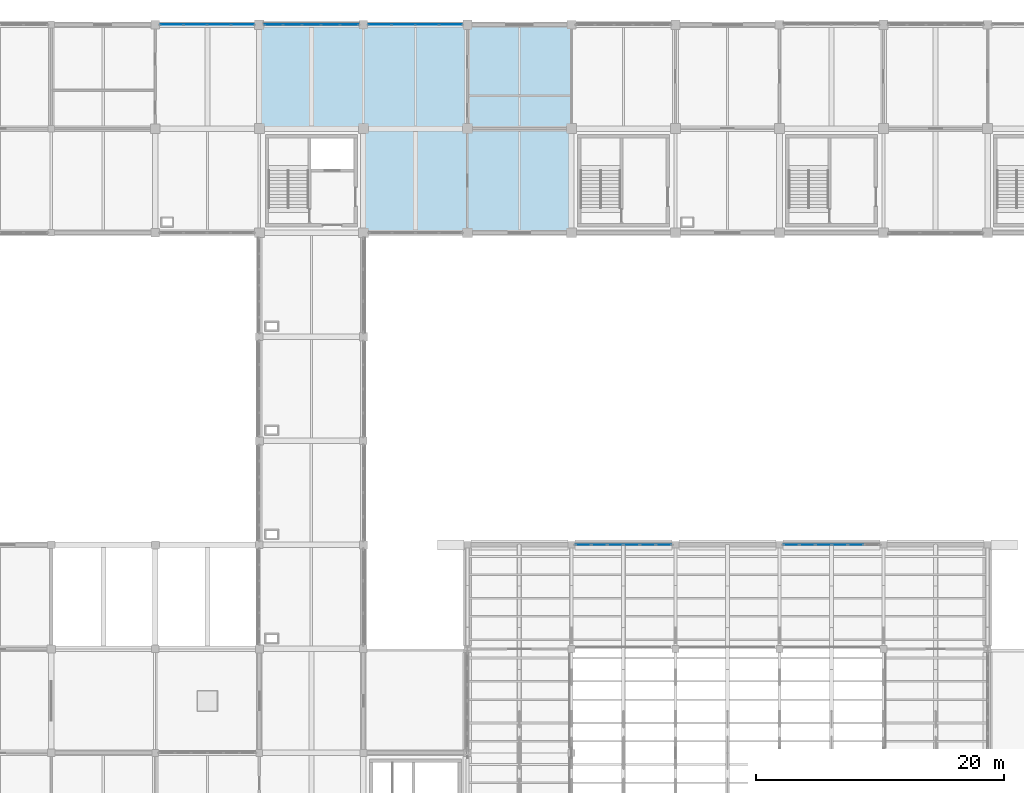
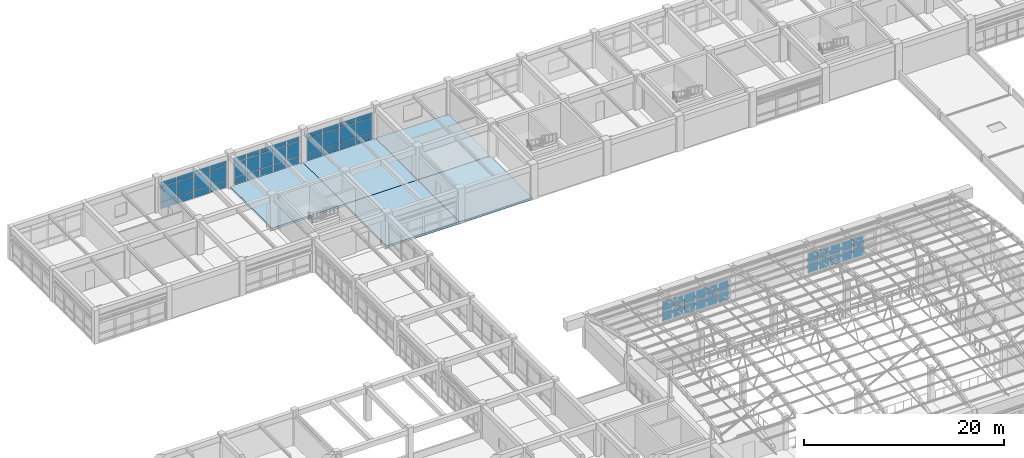
# One storey, part 54 of 74: 61 plates, 5 slabs, 5 elements without a shape of their own.
"""IFC4 building model written with IfcOpenShell, lengths in metres."""

from ifc_helpers import new_model, si_unit, direction, frame, origin, origin_2d, place, context, subcontext, project, spatial, polyline, rectangle, outline, extrude, material, layer, layer_set, type_object, element, aggregate, save


model = new_model("IFC4")

# Units and contexts
model_context = context("Model", 3, precision=1e-05, world=origin(), true_north=direction((0.0, 1.0)))
body_context = subcontext(model_context, "Body", "Model", "MODEL_VIEW")
ifc_project = project(units=[si_unit("LENGTHUNIT", "METRE"), si_unit("AREAUNIT", "SQUARE_METRE"), si_unit("VOLUMEUNIT", "CUBIC_METRE"), si_unit("PLANEANGLEUNIT", "RADIAN"), si_unit("MASSUNIT", "GRAM", prefix="KILO")], contexts=[model_context])

# Site, building, storey
site_placement = place(None, origin())
site = spatial("IfcSite", under=ifc_project, at=site_placement, CompositionType="ELEMENT")
building_placement = place(site_placement, origin())
building = spatial("IfcBuilding", under=site, at=building_placement, Name="Porcellanite Civic Hall", CompositionType="ELEMENT")
storey_placement = place(building_placement, frame((0.0, 0.0, 14.760009765625)))
storey = spatial("IfcBuildingStorey", under=building, at=storey_placement, Name="L03", CompositionType="ELEMENT", Elevation=14.760009765625)

# Curtain wall, plates
ifc_material_1 = material(Name="Anodised aluminium and solar laminated glass", Category="aluminium")
ifc_layer_1 = layer(ifc_material_1, 0.179931640625)
ifc_layer_set_1 = layer_set([ifc_layer_1], Name="Anodised aluminium and solar laminated glass")
curtain_wall_type_1 = type_object("IfcCurtainWallType", Name="CW-SYS01", PredefinedType="NOTDEFINED", material=ifc_layer_set_1)
curtain_wall_1_placement = place(storey_placement, origin())
curtain_wall_1 = element("IfcCurtainWall", 1, at=curtain_wall_1_placement, inside=storey, type_object=curtain_wall_type_1, Name="Curtain wall CW-208", PredefinedType="NOTDEFINED")
ifc_material_2 = material(Name="Cyclone laminated solar-control low-E glass", Category="glass")
ifc_layer_2 = layer(ifc_material_2, 0.02392578125)
ifc_layer_set_2 = layer_set([ifc_layer_2], Name="Cyclone laminated solar-control low-E glass")
plate_type_1 = type_object("IfcPlateType", Name="CWP-01", PredefinedType="CURTAIN_PANEL", material=ifc_layer_set_2)
plate_1_placement = place(storey_placement, frame((76.550048828125, 75.60009765625, 0.06982421875), z_axis=(0.0, 0.0, 1.0), x_axis=(1.0, 0.0, 0.0)))
plate_1 = element("IfcPlate", 2, at=plate_1_placement, type_object=plate_type_1, Name="CW-208 panel 1.1", PredefinedType="CURTAIN_PANEL", context=body_context, shape_type="SweptSolid", body=[
    extrude(rectangle(XDim=1.18798828125, YDim=0.02392578125, at=origin_2d()), origin(), (0.0, 0.0, 1.0), 1.155029296875),
])
plate_2_placement = place(storey_placement, frame((76.550048828125, 75.60009765625, 1.294921875), z_axis=(0.0, 0.0, 1.0), x_axis=(1.0, 0.0, 0.0)))
plate_2 = element("IfcPlate", 3, at=plate_2_placement, type_object=plate_type_1, Name="CW-208 panel 1.2", PredefinedType="CURTAIN_PANEL", context=body_context, shape_type="SweptSolid", body=[
    extrude(rectangle(XDim=1.18798828125, YDim=0.02392578125, at=origin_2d()), origin(), (0.0, 0.0, 1.0), 1.155029296875),
])
plate_3_placement = place(storey_placement, frame((77.837890625, 75.60009765625, 0.06982421875), z_axis=(0.0, 0.0, 1.0), x_axis=(1.0, 0.0, 0.0)))
plate_3 = element("IfcPlate", 4, at=plate_3_placement, type_object=plate_type_1, Name="CW-208 panel 2.1", PredefinedType="CURTAIN_PANEL", context=body_context, shape_type="SweptSolid", body=[
    extrude(rectangle(XDim=1.22802734375, YDim=0.02392578125, at=origin_2d()), origin(), (0.0, 0.0, 1.0), 1.155029296875),
])
plate_4_placement = place(storey_placement, frame((77.837890625, 75.60009765625, 1.294921875), z_axis=(0.0, 0.0, 1.0), x_axis=(1.0, 0.0, 0.0)))
plate_4 = element("IfcPlate", 5, at=plate_4_placement, type_object=plate_type_1, Name="CW-208 panel 2.2", PredefinedType="CURTAIN_PANEL", context=body_context, shape_type="SweptSolid", body=[
    extrude(rectangle(XDim=1.22802734375, YDim=0.02392578125, at=origin_2d()), origin(), (0.0, 0.0, 1.0), 1.155029296875),
])
plate_5_placement = place(storey_placement, frame((79.14599609375, 75.60009765625, 0.06982421875), z_axis=(0.0, 0.0, 1.0), x_axis=(1.0, 0.0, 0.0)))
plate_5 = element("IfcPlate", 6, at=plate_5_placement, type_object=plate_type_1, Name="CW-208 panel 3.1", PredefinedType="CURTAIN_PANEL", context=body_context, shape_type="SweptSolid", body=[
    extrude(rectangle(XDim=1.22802734375, YDim=0.02392578125, at=origin_2d()), origin(), (0.0, 0.0, 1.0), 1.155029296875),
])
plate_6_placement = place(storey_placement, frame((79.14599609375, 75.60009765625, 1.294921875), z_axis=(0.0, 0.0, 1.0), x_axis=(1.0, 0.0, 0.0)))
plate_6 = element("IfcPlate", 7, at=plate_6_placement, type_object=plate_type_1, Name="CW-208 panel 3.2", PredefinedType="CURTAIN_PANEL", context=body_context, shape_type="SweptSolid", body=[
    extrude(rectangle(XDim=1.22802734375, YDim=0.02392578125, at=origin_2d()), origin(), (0.0, 0.0, 1.0), 1.155029296875),
])
plate_7_placement = place(storey_placement, frame((80.4541015625, 75.60009765625, 0.06982421875), z_axis=(0.0, 0.0, 1.0), x_axis=(1.0, 0.0, 0.0)))
plate_7 = element("IfcPlate", 8, at=plate_7_placement, type_object=plate_type_1, Name="CW-208 panel 4.1", PredefinedType="CURTAIN_PANEL", context=body_context, shape_type="SweptSolid", body=[
    extrude(rectangle(XDim=1.22802734375, YDim=0.02392578125, at=origin_2d()), origin(), (0.0, 0.0, 1.0), 1.155029296875),
])
plate_8_placement = place(storey_placement, frame((80.4541015625, 75.60009765625, 1.294921875), z_axis=(0.0, 0.0, 1.0), x_axis=(1.0, 0.0, 0.0)))
plate_8 = element("IfcPlate", 9, at=plate_8_placement, type_object=plate_type_1, Name="CW-208 panel 4.2", PredefinedType="CURTAIN_PANEL", context=body_context, shape_type="SweptSolid", body=[
    extrude(rectangle(XDim=1.22802734375, YDim=0.02392578125, at=origin_2d()), origin(), (0.0, 0.0, 1.0), 1.155029296875),
])
plate_9_placement = place(storey_placement, frame((81.761962890625, 75.60009765625, 0.06982421875), z_axis=(0.0, 0.0, 1.0), x_axis=(1.0, 0.0, 0.0)))
plate_9 = element("IfcPlate", 10, at=plate_9_placement, type_object=plate_type_1, Name="CW-208 panel 5.1", PredefinedType="CURTAIN_PANEL", context=body_context, shape_type="SweptSolid", body=[
    extrude(rectangle(XDim=1.22802734375, YDim=0.02392578125, at=origin_2d()), origin(), (0.0, 0.0, 1.0), 1.155029296875),
])
plate_10_placement = place(storey_placement, frame((81.761962890625, 75.60009765625, 1.294921875), z_axis=(0.0, 0.0, 1.0), x_axis=(1.0, 0.0, 0.0)))
plate_10 = element("IfcPlate", 11, at=plate_10_placement, type_object=plate_type_1, Name="CW-208 panel 5.2", PredefinedType="CURTAIN_PANEL", context=body_context, shape_type="SweptSolid", body=[
    extrude(rectangle(XDim=1.22802734375, YDim=0.02392578125, at=origin_2d()), origin(), (0.0, 0.0, 1.0), 1.155029296875),
])
plate_11_placement = place(storey_placement, frame((83.050048828125, 75.60009765625, 0.06982421875), z_axis=(0.0, 0.0, 1.0), x_axis=(1.0, 0.0, 0.0)))
plate_11 = element("IfcPlate", 12, at=plate_11_placement, type_object=plate_type_1, Name="CW-208 panel 6.1", PredefinedType="CURTAIN_PANEL", context=body_context, shape_type="SweptSolid", body=[
    extrude(rectangle(XDim=1.18798828125, YDim=0.02392578125, at=origin_2d()), origin(), (0.0, 0.0, 1.0), 1.155029296875),
])
plate_12_placement = place(storey_placement, frame((83.050048828125, 75.60009765625, 1.294921875), z_axis=(0.0, 0.0, 1.0), x_axis=(1.0, 0.0, 0.0)))
plate_12 = element("IfcPlate", 13, at=plate_12_placement, type_object=plate_type_1, Name="CW-208 panel 6.2", PredefinedType="CURTAIN_PANEL", context=body_context, shape_type="SweptSolid", body=[
    extrude(rectangle(XDim=1.18798828125, YDim=0.02392578125, at=origin_2d()), origin(), (0.0, 0.0, 1.0), 1.155029296875),
])
aggregate(curtain_wall_1, [plate_1, plate_2, plate_3, plate_4, plate_5, plate_6, plate_7, plate_8, plate_9, plate_10, plate_11, plate_12])

curtain_wall_2_placement = place(storey_placement, origin())
curtain_wall_2 = element("IfcCurtainWall", 14, at=curtain_wall_2_placement, inside=storey, type_object=curtain_wall_type_1, Name="Curtain wall CW-211", PredefinedType="NOTDEFINED")
plate_13_placement = place(storey_placement, frame((93.35009765625, 75.60009765625, 0.06982421875), z_axis=(0.0, 0.0, 1.0), x_axis=(1.0, 0.0, 0.0)))
plate_13 = element("IfcPlate", 15, at=plate_13_placement, type_object=plate_type_1, Name="CW-211 panel 1.1", PredefinedType="CURTAIN_PANEL", context=body_context, shape_type="SweptSolid", body=[
    extrude(rectangle(XDim=1.18798828125, YDim=0.02392578125, at=origin_2d()), origin(), (0.0, 0.0, 1.0), 1.155029296875),
])
plate_14_placement = place(storey_placement, frame((93.35009765625, 75.60009765625, 1.294921875), z_axis=(0.0, 0.0, 1.0), x_axis=(1.0, 0.0, 0.0)))
plate_14 = element("IfcPlate", 16, at=plate_14_placement, type_object=plate_type_1, Name="CW-211 panel 1.2", PredefinedType="CURTAIN_PANEL", context=body_context, shape_type="SweptSolid", body=[
    extrude(rectangle(XDim=1.18798828125, YDim=0.02392578125, at=origin_2d()), origin(), (0.0, 0.0, 1.0), 1.155029296875),
])
plate_15_placement = place(storey_placement, frame((94.637939453125, 75.60009765625, 0.06982421875), z_axis=(0.0, 0.0, 1.0), x_axis=(1.0, 0.0, 0.0)))
plate_15 = element("IfcPlate", 17, at=plate_15_placement, type_object=plate_type_1, Name="CW-211 panel 2.1", PredefinedType="CURTAIN_PANEL", context=body_context, shape_type="SweptSolid", body=[
    extrude(rectangle(XDim=1.22802734375, YDim=0.02392578125, at=origin_2d()), origin(), (0.0, 0.0, 1.0), 1.155029296875),
])
plate_16_placement = place(storey_placement, frame((94.637939453125, 75.60009765625, 1.294921875), z_axis=(0.0, 0.0, 1.0), x_axis=(1.0, 0.0, 0.0)))
plate_16 = element("IfcPlate", 18, at=plate_16_placement, type_object=plate_type_1, Name="CW-211 panel 2.2", PredefinedType="CURTAIN_PANEL", context=body_context, shape_type="SweptSolid", body=[
    extrude(rectangle(XDim=1.22802734375, YDim=0.02392578125, at=origin_2d()), origin(), (0.0, 0.0, 1.0), 1.155029296875),
])
plate_17_placement = place(storey_placement, frame((95.946044921875, 75.60009765625, 0.06982421875), z_axis=(0.0, 0.0, 1.0), x_axis=(1.0, 0.0, 0.0)))
plate_17 = element("IfcPlate", 19, at=plate_17_placement, type_object=plate_type_1, Name="CW-211 panel 3.1", PredefinedType="CURTAIN_PANEL", context=body_context, shape_type="SweptSolid", body=[
    extrude(rectangle(XDim=1.22802734375, YDim=0.02392578125, at=origin_2d()), origin(), (0.0, 0.0, 1.0), 1.155029296875),
])
plate_18_placement = place(storey_placement, frame((95.946044921875, 75.60009765625, 1.294921875), z_axis=(0.0, 0.0, 1.0), x_axis=(1.0, 0.0, 0.0)))
plate_18 = element("IfcPlate", 20, at=plate_18_placement, type_object=plate_type_1, Name="CW-211 panel 3.2", PredefinedType="CURTAIN_PANEL", context=body_context, shape_type="SweptSolid", body=[
    extrude(rectangle(XDim=1.22802734375, YDim=0.02392578125, at=origin_2d()), origin(), (0.0, 0.0, 1.0), 1.155029296875),
])
plate_19_placement = place(storey_placement, frame((97.25390625, 75.60009765625, 0.06982421875), z_axis=(0.0, 0.0, 1.0), x_axis=(1.0, 0.0, 0.0)))
plate_19 = element("IfcPlate", 21, at=plate_19_placement, type_object=plate_type_1, Name="CW-211 panel 4.1", PredefinedType="CURTAIN_PANEL", context=body_context, shape_type="SweptSolid", body=[
    extrude(rectangle(XDim=1.22802734375, YDim=0.02392578125, at=origin_2d()), origin(), (0.0, 0.0, 1.0), 1.155029296875),
])
plate_20_placement = place(storey_placement, frame((97.25390625, 75.60009765625, 1.294921875), z_axis=(0.0, 0.0, 1.0), x_axis=(1.0, 0.0, 0.0)))
plate_20 = element("IfcPlate", 22, at=plate_20_placement, type_object=plate_type_1, Name="CW-211 panel 4.2", PredefinedType="CURTAIN_PANEL", context=body_context, shape_type="SweptSolid", body=[
    extrude(rectangle(XDim=1.22802734375, YDim=0.02392578125, at=origin_2d()), origin(), (0.0, 0.0, 1.0), 1.155029296875),
])
plate_21_placement = place(storey_placement, frame((98.56201171875, 75.60009765625, 0.06982421875), z_axis=(0.0, 0.0, 1.0), x_axis=(1.0, 0.0, 0.0)))
plate_21 = element("IfcPlate", 23, at=plate_21_placement, type_object=plate_type_1, Name="CW-211 panel 5.1", PredefinedType="CURTAIN_PANEL", context=body_context, shape_type="SweptSolid", body=[
    extrude(rectangle(XDim=1.22802734375, YDim=0.02392578125, at=origin_2d()), origin(), (0.0, 0.0, 1.0), 1.155029296875),
])
plate_22_placement = place(storey_placement, frame((98.56201171875, 75.60009765625, 1.294921875), z_axis=(0.0, 0.0, 1.0), x_axis=(1.0, 0.0, 0.0)))
plate_22 = element("IfcPlate", 24, at=plate_22_placement, type_object=plate_type_1, Name="CW-211 panel 5.2", PredefinedType="CURTAIN_PANEL", context=body_context, shape_type="SweptSolid", body=[
    extrude(rectangle(XDim=1.22802734375, YDim=0.02392578125, at=origin_2d()), origin(), (0.0, 0.0, 1.0), 1.155029296875),
])
aggregate(curtain_wall_2, [plate_13, plate_14, plate_15, plate_16, plate_17, plate_18, plate_19, plate_20, plate_21, plate_22])

ifc_material_3 = material(Name="Anodised aluminium and solar laminated glass", Category="aluminium")
ifc_layer_3 = layer(ifc_material_3, 0.179931640625)
ifc_layer_set_3 = layer_set([ifc_layer_3], Name="Anodised aluminium and solar laminated glass")
curtain_wall_type_2 = type_object("IfcCurtainWallType", Name="CW-SYS04", PredefinedType="NOTDEFINED", material=ifc_layer_set_3)
curtain_wall_3_placement = place(storey_placement, origin())
curtain_wall_3 = element("IfcCurtainWall", 25, at=curtain_wall_3_placement, inside=storey, type_object=curtain_wall_type_2, Name="Curtain wall CW-193", PredefinedType="NOTDEFINED")
ifc_material_4 = material(Name="Cyclone laminated solar-control low-E glass", Category="glass")
ifc_layer_4 = layer(ifc_material_4, 0.030029296875)
ifc_layer_set_4 = layer_set([ifc_layer_4], Name="Cyclone laminated solar-control low-E glass")
plate_type_2 = type_object("IfcPlateType", Name="CWP-04", PredefinedType="CURTAIN_PANEL", material=ifc_layer_set_4)
plate_23_placement = place(storey_placement, frame((43.328857421875, 117.60009765625, 0.054931640625), z_axis=(0.0, 0.0, 1.0), x_axis=(1.0, 0.0, 0.0)))
plate_23 = element("IfcPlate", 26, at=plate_23_placement, type_object=plate_type_2, Name="CW-193 panel 1.1", PredefinedType="CURTAIN_PANEL", context=body_context, shape_type="SweptSolid", body=[
    extrude(rectangle(XDim=1.8056640625, YDim=0.030029296875, at=origin_2d()), origin(), (0.0, 0.0, 1.0), 0.8173828125),
])
plate_24_placement = place(storey_placement, frame((43.328857421875, 117.60009765625, 0.927734375), z_axis=(0.0, 0.0, 1.0), x_axis=(1.0, 0.0, 0.0)))
plate_24 = element("IfcPlate", 27, at=plate_24_placement, type_object=plate_type_2, Name="CW-193 panel 1.2", PredefinedType="CURTAIN_PANEL", context=body_context, shape_type="SweptSolid", body=[
    extrude(rectangle(XDim=1.8056640625, YDim=0.030029296875, at=origin_2d()), origin(), (0.0, 0.0, 1.0), 1.764892578125),
])
plate_25_placement = place(storey_placement, frame((43.328857421875, 117.60009765625, 2.74755859375), z_axis=(0.0, 0.0, 1.0), x_axis=(1.0, 0.0, 0.0)))
plate_25 = element("IfcPlate", 28, at=plate_25_placement, type_object=plate_type_2, Name="CW-193 panel 1.3", PredefinedType="CURTAIN_PANEL", context=body_context, shape_type="SweptSolid", body=[
    extrude(rectangle(XDim=1.8056640625, YDim=0.030029296875, at=origin_2d()), origin(), (0.0, 0.0, 1.0), 0.5673828125),
])
plate_26_placement = place(storey_placement, frame((45.228271484375, 117.60009765625, 0.054931640625), z_axis=(0.0, 0.0, 1.0), x_axis=(1.0, 0.0, 0.0)))
plate_26 = element("IfcPlate", 29, at=plate_26_placement, type_object=plate_type_2, Name="CW-193 panel 2.1", PredefinedType="CURTAIN_PANEL", context=body_context, shape_type="SweptSolid", body=[
    extrude(rectangle(XDim=1.84326171875, YDim=0.030029296875, at=origin_2d()), origin(), (0.0, 0.0, 1.0), 0.8173828125),
])
plate_27_placement = place(storey_placement, frame((45.228271484375, 117.60009765625, 0.927734375), z_axis=(0.0, 0.0, 1.0), x_axis=(1.0, 0.0, 0.0)))
plate_27 = element("IfcPlate", 30, at=plate_27_placement, type_object=plate_type_2, Name="CW-193 panel 2.2", PredefinedType="CURTAIN_PANEL", context=body_context, shape_type="SweptSolid", body=[
    extrude(rectangle(XDim=1.84326171875, YDim=0.030029296875, at=origin_2d()), origin(), (0.0, 0.0, 1.0), 1.764892578125),
])
plate_28_placement = place(storey_placement, frame((45.228271484375, 117.60009765625, 2.74755859375), z_axis=(0.0, 0.0, 1.0), x_axis=(1.0, 0.0, 0.0)))
plate_28 = element("IfcPlate", 31, at=plate_28_placement, type_object=plate_type_2, Name="CW-193 panel 2.3", PredefinedType="CURTAIN_PANEL", context=body_context, shape_type="SweptSolid", body=[
    extrude(rectangle(XDim=1.84326171875, YDim=0.030029296875, at=origin_2d()), origin(), (0.0, 0.0, 1.0), 0.5673828125),
])
plate_29_placement = place(storey_placement, frame((47.146728515625, 117.60009765625, 0.054931640625), z_axis=(0.0, 0.0, 1.0), x_axis=(1.0, 0.0, 0.0)))
plate_29 = element("IfcPlate", 32, at=plate_29_placement, type_object=plate_type_2, Name="CW-193 panel 3.1", PredefinedType="CURTAIN_PANEL", context=body_context, shape_type="SweptSolid", body=[
    extrude(rectangle(XDim=1.84326171875, YDim=0.030029296875, at=origin_2d()), origin(), (0.0, 0.0, 1.0), 0.8173828125),
])
plate_30_placement = place(storey_placement, frame((47.146728515625, 117.60009765625, 0.927734375), z_axis=(0.0, 0.0, 1.0), x_axis=(1.0, 0.0, 0.0)))
plate_30 = element("IfcPlate", 33, at=plate_30_placement, type_object=plate_type_2, Name="CW-193 panel 3.2", PredefinedType="CURTAIN_PANEL", context=body_context, shape_type="SweptSolid", body=[
    extrude(rectangle(XDim=1.84326171875, YDim=0.030029296875, at=origin_2d()), origin(), (0.0, 0.0, 1.0), 1.764892578125),
])
plate_31_placement = place(storey_placement, frame((47.146728515625, 117.60009765625, 2.74755859375), z_axis=(0.0, 0.0, 1.0), x_axis=(1.0, 0.0, 0.0)))
plate_31 = element("IfcPlate", 34, at=plate_31_placement, type_object=plate_type_2, Name="CW-193 panel 3.3", PredefinedType="CURTAIN_PANEL", context=body_context, shape_type="SweptSolid", body=[
    extrude(rectangle(XDim=1.84326171875, YDim=0.030029296875, at=origin_2d()), origin(), (0.0, 0.0, 1.0), 0.5673828125),
])
plate_32_placement = place(storey_placement, frame((49.046142578125, 117.60009765625, 0.054931640625), z_axis=(0.0, 0.0, 1.0), x_axis=(1.0, 0.0, 0.0)))
plate_32 = element("IfcPlate", 35, at=plate_32_placement, type_object=plate_type_2, Name="CW-193 panel 4.1", PredefinedType="CURTAIN_PANEL", context=body_context, shape_type="SweptSolid", body=[
    extrude(rectangle(XDim=1.8056640625, YDim=0.030029296875, at=origin_2d()), origin(), (0.0, 0.0, 1.0), 0.8173828125),
])
plate_33_placement = place(storey_placement, frame((49.046142578125, 117.60009765625, 0.927734375), z_axis=(0.0, 0.0, 1.0), x_axis=(1.0, 0.0, 0.0)))
plate_33 = element("IfcPlate", 36, at=plate_33_placement, type_object=plate_type_2, Name="CW-193 panel 4.2", PredefinedType="CURTAIN_PANEL", context=body_context, shape_type="SweptSolid", body=[
    extrude(rectangle(XDim=1.8056640625, YDim=0.030029296875, at=origin_2d()), origin(), (0.0, 0.0, 1.0), 1.764892578125),
])
plate_34_placement = place(storey_placement, frame((49.046142578125, 117.60009765625, 2.74755859375), z_axis=(0.0, 0.0, 1.0), x_axis=(1.0, 0.0, 0.0)))
plate_34 = element("IfcPlate", 37, at=plate_34_placement, type_object=plate_type_2, Name="CW-193 panel 4.3", PredefinedType="CURTAIN_PANEL", context=body_context, shape_type="SweptSolid", body=[
    extrude(rectangle(XDim=1.8056640625, YDim=0.030029296875, at=origin_2d()), origin(), (0.0, 0.0, 1.0), 0.5673828125),
])
aggregate(curtain_wall_3, [plate_23, plate_24, plate_25, plate_26, plate_27, plate_28, plate_29, plate_30, plate_31, plate_32, plate_33, plate_34])

curtain_wall_4_placement = place(storey_placement, origin())
curtain_wall_4 = element("IfcCurtainWall", 38, at=curtain_wall_4_placement, inside=storey, type_object=curtain_wall_type_1, Name="Curtain wall CW-203", PredefinedType="NOTDEFINED")
plate_35_placement = place(storey_placement, frame((51.560791015625, 117.60009765625, 0.06005859375), z_axis=(0.0, 0.0, 1.0), x_axis=(1.0, 0.0, 0.0)))
plate_35 = element("IfcPlate", 39, at=plate_35_placement, type_object=plate_type_2, Name="CW-203 panel 1.1", PredefinedType="CURTAIN_PANEL", context=body_context, shape_type="SweptSolid", body=[
    extrude(rectangle(XDim=1.4296875, YDim=0.030029296875, at=origin_2d()), origin(), (0.0, 0.0, 1.0), 0.81005859375),
])
plate_36_placement = place(storey_placement, frame((51.560791015625, 117.60009765625, 0.93017578125), z_axis=(0.0, 0.0, 1.0), x_axis=(1.0, 0.0, 0.0)))
plate_36 = element("IfcPlate", 40, at=plate_36_placement, type_object=plate_type_2, Name="CW-203 panel 1.2", PredefinedType="CURTAIN_PANEL", context=body_context, shape_type="SweptSolid", body=[
    extrude(rectangle(XDim=1.4296875, YDim=0.030029296875, at=origin_2d()), origin(), (0.0, 0.0, 1.0), 1.760009765625),
])
plate_37_placement = place(storey_placement, frame((51.560791015625, 117.60009765625, 2.75), z_axis=(0.0, 0.0, 1.0), x_axis=(1.0, 0.0, 0.0)))
plate_37 = element("IfcPlate", 41, at=plate_37_placement, type_object=plate_type_2, Name="CW-203 panel 1.3", PredefinedType="CURTAIN_PANEL", context=body_context, shape_type="SweptSolid", body=[
    extrude(rectangle(XDim=1.4296875, YDim=0.030029296875, at=origin_2d()), origin(), (0.0, 0.0, 1.0), 0.56005859375),
])
plate_38_placement = place(storey_placement, frame((53.077880859375, 117.60009765625, 0.06005859375), z_axis=(0.0, 0.0, 1.0), x_axis=(1.0, 0.0, 0.0)))
plate_38 = element("IfcPlate", 42, at=plate_38_placement, type_object=plate_type_2, Name="CW-203 panel 2.1", PredefinedType="CURTAIN_PANEL", context=body_context, shape_type="SweptSolid", body=[
    extrude(rectangle(XDim=1.464599609375, YDim=0.030029296875, at=origin_2d()), origin(), (0.0, 0.0, 1.0), 0.81005859375),
])
plate_39_placement = place(storey_placement, frame((53.077880859375, 117.60009765625, 0.93017578125), z_axis=(0.0, 0.0, 1.0), x_axis=(1.0, 0.0, 0.0)))
plate_39 = element("IfcPlate", 43, at=plate_39_placement, type_object=plate_type_2, Name="CW-203 panel 2.2", PredefinedType="CURTAIN_PANEL", context=body_context, shape_type="SweptSolid", body=[
    extrude(rectangle(XDim=1.464599609375, YDim=0.030029296875, at=origin_2d()), origin(), (0.0, 0.0, 1.0), 1.760009765625),
])
plate_40_placement = place(storey_placement, frame((53.077880859375, 117.60009765625, 2.75), z_axis=(0.0, 0.0, 1.0), x_axis=(1.0, 0.0, 0.0)))
plate_40 = element("IfcPlate", 44, at=plate_40_placement, type_object=plate_type_2, Name="CW-203 panel 2.3", PredefinedType="CURTAIN_PANEL", context=body_context, shape_type="SweptSolid", body=[
    extrude(rectangle(XDim=1.464599609375, YDim=0.030029296875, at=origin_2d()), origin(), (0.0, 0.0, 1.0), 0.56005859375),
])
plate_41_placement = place(storey_placement, frame((54.612548828125, 117.60009765625, 0.06005859375), z_axis=(0.0, 0.0, 1.0), x_axis=(1.0, 0.0, 0.0)))
plate_41 = element("IfcPlate", 45, at=plate_41_placement, type_object=plate_type_2, Name="CW-203 panel 3.1", PredefinedType="CURTAIN_PANEL", context=body_context, shape_type="SweptSolid", body=[
    extrude(rectangle(XDim=1.464599609375, YDim=0.030029296875, at=origin_2d()), origin(), (0.0, 0.0, 1.0), 0.81005859375),
])
plate_42_placement = place(storey_placement, frame((54.612548828125, 117.60009765625, 0.93017578125), z_axis=(0.0, 0.0, 1.0), x_axis=(1.0, 0.0, 0.0)))
plate_42 = element("IfcPlate", 46, at=plate_42_placement, type_object=plate_type_2, Name="CW-203 panel 3.2", PredefinedType="CURTAIN_PANEL", context=body_context, shape_type="SweptSolid", body=[
    extrude(rectangle(XDim=1.464599609375, YDim=0.030029296875, at=origin_2d()), origin(), (0.0, 0.0, 1.0), 1.760009765625),
])
plate_43_placement = place(storey_placement, frame((54.612548828125, 117.60009765625, 2.75), z_axis=(0.0, 0.0, 1.0), x_axis=(1.0, 0.0, 0.0)))
plate_43 = element("IfcPlate", 47, at=plate_43_placement, type_object=plate_type_2, Name="CW-203 panel 3.3", PredefinedType="CURTAIN_PANEL", context=body_context, shape_type="SweptSolid", body=[
    extrude(rectangle(XDim=1.464599609375, YDim=0.030029296875, at=origin_2d()), origin(), (0.0, 0.0, 1.0), 0.56005859375),
])
plate_44_placement = place(storey_placement, frame((56.147216796875, 117.60009765625, 0.06005859375), z_axis=(0.0, 0.0, 1.0), x_axis=(1.0, 0.0, 0.0)))
plate_44 = element("IfcPlate", 48, at=plate_44_placement, type_object=plate_type_2, Name="CW-203 panel 4.1", PredefinedType="CURTAIN_PANEL", context=body_context, shape_type="SweptSolid", body=[
    extrude(rectangle(XDim=1.464599609375, YDim=0.030029296875, at=origin_2d()), origin(), (0.0, 0.0, 1.0), 0.81005859375),
])
plate_45_placement = place(storey_placement, frame((56.147216796875, 117.60009765625, 0.93017578125), z_axis=(0.0, 0.0, 1.0), x_axis=(1.0, 0.0, 0.0)))
plate_45 = element("IfcPlate", 49, at=plate_45_placement, type_object=plate_type_2, Name="CW-203 panel 4.2", PredefinedType="CURTAIN_PANEL", context=body_context, shape_type="SweptSolid", body=[
    extrude(rectangle(XDim=1.464599609375, YDim=0.030029296875, at=origin_2d()), origin(), (0.0, 0.0, 1.0), 1.760009765625),
])
plate_46_placement = place(storey_placement, frame((56.147216796875, 117.60009765625, 2.75), z_axis=(0.0, 0.0, 1.0), x_axis=(1.0, 0.0, 0.0)))
plate_46 = element("IfcPlate", 50, at=plate_46_placement, type_object=plate_type_2, Name="CW-203 panel 4.3", PredefinedType="CURTAIN_PANEL", context=body_context, shape_type="SweptSolid", body=[
    extrude(rectangle(XDim=1.464599609375, YDim=0.030029296875, at=origin_2d()), origin(), (0.0, 0.0, 1.0), 0.56005859375),
])
plate_47_placement = place(storey_placement, frame((57.664306640625, 117.60009765625, 0.06005859375), z_axis=(0.0, 0.0, 1.0), x_axis=(1.0, 0.0, 0.0)))
plate_47 = element("IfcPlate", 51, at=plate_47_placement, type_object=plate_type_2, Name="CW-203 panel 5.1", PredefinedType="CURTAIN_PANEL", context=body_context, shape_type="SweptSolid", body=[
    extrude(rectangle(XDim=1.4296875, YDim=0.030029296875, at=origin_2d()), origin(), (0.0, 0.0, 1.0), 0.81005859375),
])
plate_48_placement = place(storey_placement, frame((57.664306640625, 117.60009765625, 0.93017578125), z_axis=(0.0, 0.0, 1.0), x_axis=(1.0, 0.0, 0.0)))
plate_48 = element("IfcPlate", 52, at=plate_48_placement, type_object=plate_type_2, Name="CW-203 panel 5.2", PredefinedType="CURTAIN_PANEL", context=body_context, shape_type="SweptSolid", body=[
    extrude(rectangle(XDim=1.4296875, YDim=0.030029296875, at=origin_2d()), origin(), (0.0, 0.0, 1.0), 1.760009765625),
])
plate_49_placement = place(storey_placement, frame((57.664306640625, 117.60009765625, 2.75), z_axis=(0.0, 0.0, 1.0), x_axis=(1.0, 0.0, 0.0)))
plate_49 = element("IfcPlate", 53, at=plate_49_placement, type_object=plate_type_2, Name="CW-203 panel 5.3", PredefinedType="CURTAIN_PANEL", context=body_context, shape_type="SweptSolid", body=[
    extrude(rectangle(XDim=1.4296875, YDim=0.030029296875, at=origin_2d()), origin(), (0.0, 0.0, 1.0), 0.56005859375),
])
aggregate(curtain_wall_4, [plate_35, plate_36, plate_37, plate_38, plate_39, plate_40, plate_41, plate_42, plate_43, plate_44, plate_45, plate_46, plate_47, plate_48, plate_49])

curtain_wall_5_placement = place(storey_placement, origin())
curtain_wall_5 = element("IfcCurtainWall", 54, at=curtain_wall_5_placement, inside=storey, type_object=curtain_wall_type_2, Name="Curtain wall CW-205", PredefinedType="NOTDEFINED")
ifc_material_5 = material(Name="Cyclone laminated solar-control low-E glass", Category="glass")
ifc_layer_5 = layer(ifc_material_5, 0.033935546875)
ifc_layer_set_5 = layer_set([ifc_layer_5], Name="Cyclone laminated solar-control low-E glass")
plate_type_3 = type_object("IfcPlateType", Name="CWP-06", PredefinedType="CURTAIN_PANEL", material=ifc_layer_set_5)
plate_50_placement = place(storey_placement, frame((60.12890625, 117.60009765625, 0.054931640625), z_axis=(0.0, 0.0, 1.0), x_axis=(1.0, 0.0, 0.0)))
plate_50 = element("IfcPlate", 55, at=plate_50_placement, type_object=plate_type_3, Name="CW-205 panel 1.1", PredefinedType="CURTAIN_PANEL", context=body_context, shape_type="SweptSolid", body=[
    extrude(rectangle(XDim=1.8056640625, YDim=0.033935546875, at=origin_2d()), origin(), (0.0, 0.0, 1.0), 0.8173828125),
])
plate_51_placement = place(storey_placement, frame((60.12890625, 117.60009765625, 0.927734375), z_axis=(0.0, 0.0, 1.0), x_axis=(1.0, 0.0, 0.0)))
plate_51 = element("IfcPlate", 56, at=plate_51_placement, type_object=plate_type_3, Name="CW-205 panel 1.2", PredefinedType="CURTAIN_PANEL", context=body_context, shape_type="SweptSolid", body=[
    extrude(rectangle(XDim=1.8056640625, YDim=0.033935546875, at=origin_2d()), origin(), (0.0, 0.0, 1.0), 1.764892578125),
])
plate_52_placement = place(storey_placement, frame((60.12890625, 117.60009765625, 2.74755859375), z_axis=(0.0, 0.0, 1.0), x_axis=(1.0, 0.0, 0.0)))
plate_52 = element("IfcPlate", 57, at=plate_52_placement, type_object=plate_type_3, Name="CW-205 panel 1.3", PredefinedType="CURTAIN_PANEL", context=body_context, shape_type="SweptSolid", body=[
    extrude(rectangle(XDim=1.8056640625, YDim=0.033935546875, at=origin_2d()), origin(), (0.0, 0.0, 1.0), 0.5673828125),
])
plate_53_placement = place(storey_placement, frame((62.0283203125, 117.60009765625, 0.054931640625), z_axis=(0.0, 0.0, 1.0), x_axis=(1.0, 0.0, 0.0)))
plate_53 = element("IfcPlate", 58, at=plate_53_placement, type_object=plate_type_3, Name="CW-205 panel 2.1", PredefinedType="CURTAIN_PANEL", context=body_context, shape_type="SweptSolid", body=[
    extrude(rectangle(XDim=1.84326171875, YDim=0.033935546875, at=origin_2d()), origin(), (0.0, 0.0, 1.0), 0.8173828125),
])
plate_54_placement = place(storey_placement, frame((62.0283203125, 117.60009765625, 0.927734375), z_axis=(0.0, 0.0, 1.0), x_axis=(1.0, 0.0, 0.0)))
plate_54 = element("IfcPlate", 59, at=plate_54_placement, type_object=plate_type_3, Name="CW-205 panel 2.2", PredefinedType="CURTAIN_PANEL", context=body_context, shape_type="SweptSolid", body=[
    extrude(rectangle(XDim=1.84326171875, YDim=0.033935546875, at=origin_2d()), origin(), (0.0, 0.0, 1.0), 1.764892578125),
])
plate_55_placement = place(storey_placement, frame((62.0283203125, 117.60009765625, 2.74755859375), z_axis=(0.0, 0.0, 1.0), x_axis=(1.0, 0.0, 0.0)))
plate_55 = element("IfcPlate", 60, at=plate_55_placement, type_object=plate_type_3, Name="CW-205 panel 2.3", PredefinedType="CURTAIN_PANEL", context=body_context, shape_type="SweptSolid", body=[
    extrude(rectangle(XDim=1.84326171875, YDim=0.033935546875, at=origin_2d()), origin(), (0.0, 0.0, 1.0), 0.5673828125),
])
plate_56_placement = place(storey_placement, frame((63.946533203125, 117.60009765625, 0.054931640625), z_axis=(0.0, 0.0, 1.0), x_axis=(1.0, 0.0, 0.0)))
plate_56 = element("IfcPlate", 61, at=plate_56_placement, type_object=plate_type_3, Name="CW-205 panel 3.1", PredefinedType="CURTAIN_PANEL", context=body_context, shape_type="SweptSolid", body=[
    extrude(rectangle(XDim=1.84326171875, YDim=0.033935546875, at=origin_2d()), origin(), (0.0, 0.0, 1.0), 0.8173828125),
])
plate_57_placement = place(storey_placement, frame((63.946533203125, 117.60009765625, 0.927734375), z_axis=(0.0, 0.0, 1.0), x_axis=(1.0, 0.0, 0.0)))
plate_57 = element("IfcPlate", 62, at=plate_57_placement, type_object=plate_type_3, Name="CW-205 panel 3.2", PredefinedType="CURTAIN_PANEL", context=body_context, shape_type="SweptSolid", body=[
    extrude(rectangle(XDim=1.84326171875, YDim=0.033935546875, at=origin_2d()), origin(), (0.0, 0.0, 1.0), 1.764892578125),
])
plate_58_placement = place(storey_placement, frame((63.946533203125, 117.60009765625, 2.74755859375), z_axis=(0.0, 0.0, 1.0), x_axis=(1.0, 0.0, 0.0)))
plate_58 = element("IfcPlate", 63, at=plate_58_placement, type_object=plate_type_3, Name="CW-205 panel 3.3", PredefinedType="CURTAIN_PANEL", context=body_context, shape_type="SweptSolid", body=[
    extrude(rectangle(XDim=1.84326171875, YDim=0.033935546875, at=origin_2d()), origin(), (0.0, 0.0, 1.0), 0.5673828125),
])
plate_59_placement = place(storey_placement, frame((65.84619140625, 117.60009765625, 0.054931640625), z_axis=(0.0, 0.0, 1.0), x_axis=(1.0, 0.0, 0.0)))
plate_59 = element("IfcPlate", 64, at=plate_59_placement, type_object=plate_type_3, Name="CW-205 panel 4.1", PredefinedType="CURTAIN_PANEL", context=body_context, shape_type="SweptSolid", body=[
    extrude(rectangle(XDim=1.8056640625, YDim=0.033935546875, at=origin_2d()), origin(), (0.0, 0.0, 1.0), 0.8173828125),
])
plate_60_placement = place(storey_placement, frame((65.84619140625, 117.60009765625, 0.927734375), z_axis=(0.0, 0.0, 1.0), x_axis=(1.0, 0.0, 0.0)))
plate_60 = element("IfcPlate", 65, at=plate_60_placement, type_object=plate_type_3, Name="CW-205 panel 4.2", PredefinedType="CURTAIN_PANEL", context=body_context, shape_type="SweptSolid", body=[
    extrude(rectangle(XDim=1.8056640625, YDim=0.033935546875, at=origin_2d()), origin(), (0.0, 0.0, 1.0), 1.764892578125),
])
plate_61_placement = place(storey_placement, frame((65.84619140625, 117.60009765625, 2.74755859375), z_axis=(0.0, 0.0, 1.0), x_axis=(1.0, 0.0, 0.0)))
plate_61 = element("IfcPlate", 66, at=plate_61_placement, type_object=plate_type_3, Name="CW-205 panel 4.3", PredefinedType="CURTAIN_PANEL", context=body_context, shape_type="SweptSolid", body=[
    extrude(rectangle(XDim=1.8056640625, YDim=0.033935546875, at=origin_2d()), origin(), (0.0, 0.0, 1.0), 0.5673828125),
])
aggregate(curtain_wall_5, [plate_50, plate_51, plate_52, plate_53, plate_54, plate_55, plate_56, plate_57, plate_58, plate_59, plate_60, plate_61])

# Slabs
ifc_material_6 = material(Name="Concrete N40 (40 MPa)", Category="concrete")
ifc_layer_6 = layer(ifc_material_6, 0.25)
ifc_layer_set_6 = layer_set([ifc_layer_6], Name="Concrete N40 (40 MPa)")
slab_type_1 = type_object("IfcSlabType", Name="SL-FL250", PredefinedType="FLOOR", material=ifc_layer_set_6)
slab_1_placement = place(storey_placement, frame((0.0, 0.0, -0.25)))
element("IfcSlab", 67, at=slab_1_placement, inside=storey, type_object=slab_type_1, Name="Slab L03 bay 7-14", PredefinedType="FLOOR", context=body_context, shape_type="SweptSolid", body=[
    extrude(outline(polyline([(50.39990234375, 109.199951171875), (58.800048828125, 109.199951171875), (58.800048828125, 117.60009765625), (50.39990234375, 117.60009765625), (50.39990234375, 109.199951171875)])), origin(), (0.0, 0.0, 1.0), 0.25),
])
slab_2_placement = place(storey_placement, frame((0.0, 0.0, -0.25)))
element("IfcSlab", 68, at=slab_2_placement, inside=storey, type_object=slab_type_1, Name="Slab L03 bay 8-13", PredefinedType="FLOOR", context=body_context, shape_type="SweptSolid", body=[
    extrude(outline(polyline([(58.800048828125, 100.800048828125), (67.199951171875, 100.800048828125), (67.199951171875, 109.199951171875), (58.800048828125, 109.199951171875), (58.800048828125, 100.800048828125)])), origin(), (0.0, 0.0, 1.0), 0.25),
])
slab_3_placement = place(storey_placement, frame((0.0, 0.0, -0.25)))
element("IfcSlab", 69, at=slab_3_placement, inside=storey, type_object=slab_type_1, Name="Slab L03 bay 8-14", PredefinedType="FLOOR", context=body_context, shape_type="SweptSolid", body=[
    extrude(outline(polyline([(58.800048828125, 109.199951171875), (67.199951171875, 109.199951171875), (67.199951171875, 117.60009765625), (58.800048828125, 117.60009765625), (58.800048828125, 109.199951171875)])), origin(), (0.0, 0.0, 1.0), 0.25),
])
slab_4_placement = place(storey_placement, frame((0.0, 0.0, -0.25)))
element("IfcSlab", 70, at=slab_4_placement, inside=storey, type_object=slab_type_1, Name="Slab L03 bay 9-13", PredefinedType="FLOOR", context=body_context, shape_type="SweptSolid", body=[
    extrude(outline(polyline([(67.199951171875, 100.800048828125), (75.60009765625, 100.800048828125), (75.60009765625, 109.199951171875), (67.199951171875, 109.199951171875), (67.199951171875, 100.800048828125)])), origin(), (0.0, 0.0, 1.0), 0.25),
])
ifc_material_7 = material(Name="Concrete N40 (40 MPa)", Category="concrete")
ifc_layer_7 = layer(ifc_material_7, 0.260009765625)
ifc_layer_set_7 = layer_set([ifc_layer_7], Name="Concrete N40 (40 MPa)")
slab_type_2 = type_object("IfcSlabType", Name="SL-FL260", PredefinedType="FLOOR", material=ifc_layer_set_7)
slab_5_placement = place(storey_placement, frame((0.0, 0.0, -0.260009765625)))
element("IfcSlab", 71, at=slab_5_placement, inside=storey, type_object=slab_type_2, Name="Slab L03 bay 9-14", PredefinedType="FLOOR", context=body_context, shape_type="SweptSolid", body=[
    extrude(outline(polyline([(67.199951171875, 109.199951171875), (75.60009765625, 109.199951171875), (75.60009765625, 117.60009765625), (67.199951171875, 117.60009765625), (67.199951171875, 109.199951171875)])), origin(), (0.0, 0.0, 1.0), 0.260009765625),
])

save(model, "model.ifc")
